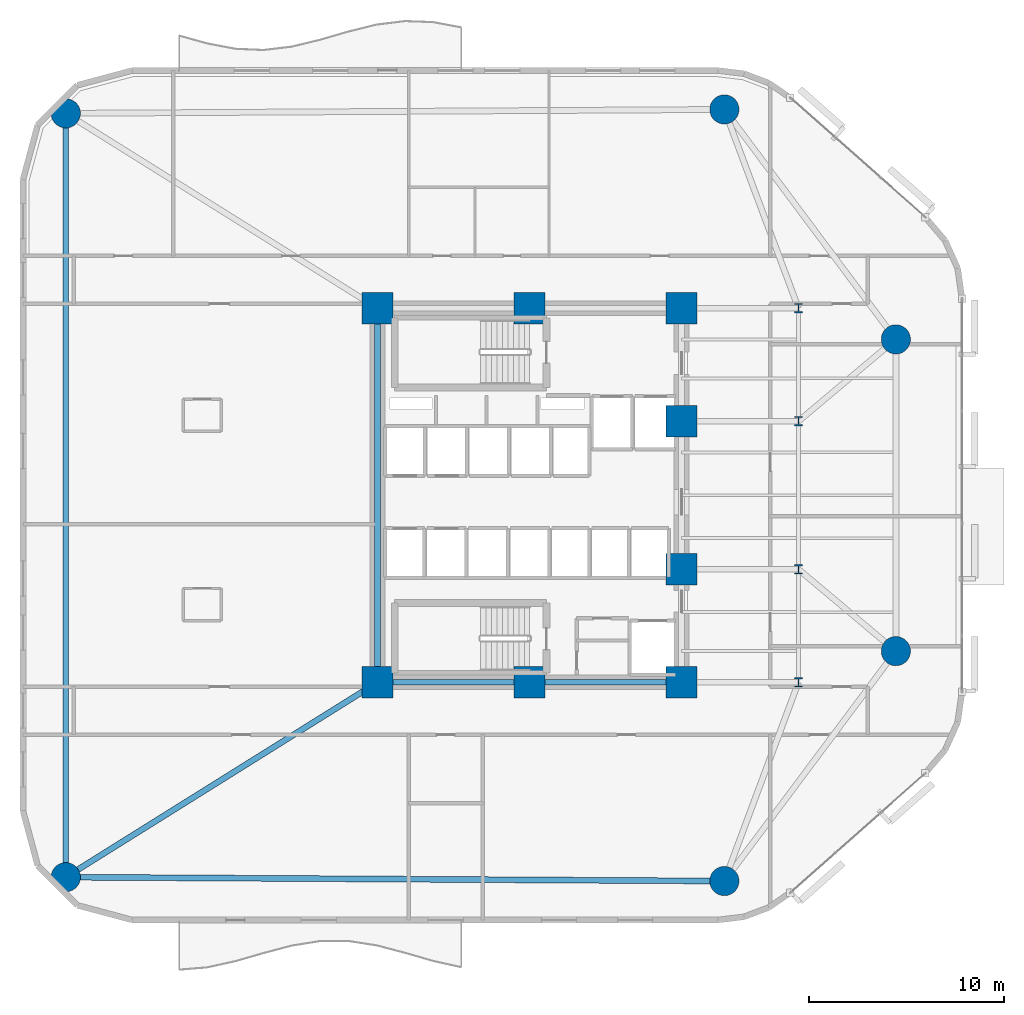
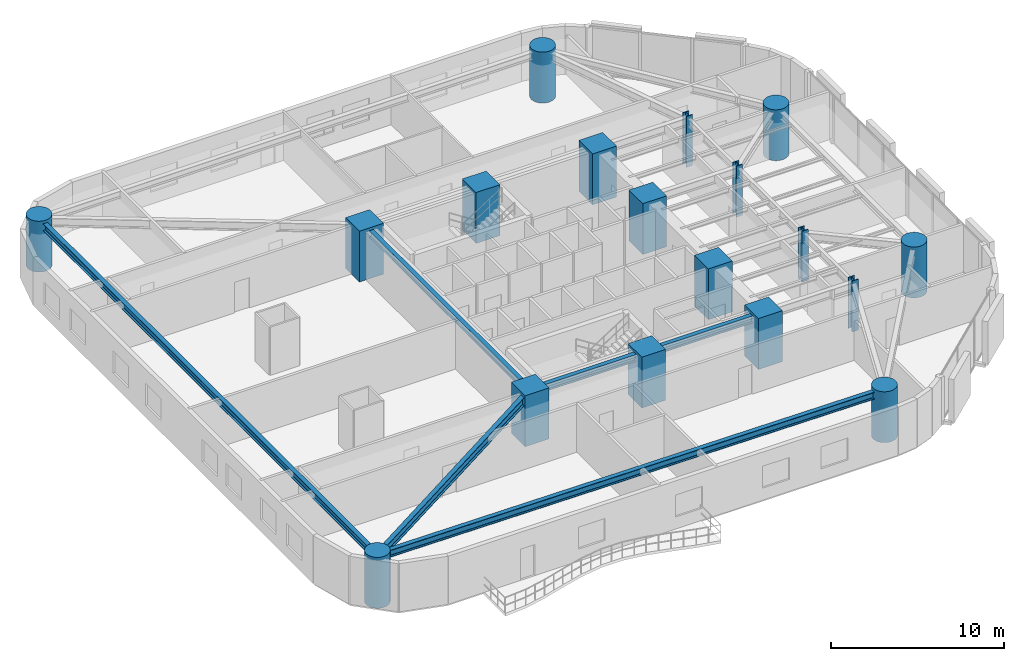
# One storey, part 1 of 16: 18 columns, 5 beams.
"""IFC4 building model written with IfcOpenShell, lengths in metres."""

from ifc_helpers import new_model, si_unit, direction, frame, origin, origin_2d, place, context, subcontext, project, spatial, rectangle, circle, i_section, extrude, material, material_profile, profile_set, type_object, element, save


model = new_model("IFC4")

# Units and contexts
model_context = context("Model", 3, precision=1e-05, world=origin(), true_north=direction((0.0, 1.0)))
body_context = subcontext(model_context, "Body", "Model", "MODEL_VIEW")
ifc_project = project(units=[si_unit("LENGTHUNIT", "METRE"), si_unit("AREAUNIT", "SQUARE_METRE"), si_unit("VOLUMEUNIT", "CUBIC_METRE"), si_unit("PLANEANGLEUNIT", "RADIAN"), si_unit("MASSUNIT", "GRAM", prefix="KILO")], contexts=[model_context])

# Site, building, storey
site_placement = place(None, origin())
site = spatial("IfcSite", under=ifc_project, at=site_placement, CompositionType="ELEMENT")
building_placement = place(site_placement, origin())
building = spatial("IfcBuilding", under=site, at=building_placement, Name="An Khanh Terracotta Commons", CompositionType="ELEMENT")
storey_placement = place(building_placement, frame((0.0, 0.0, 39.60009765625)))
storey = spatial("IfcBuildingStorey", under=building, at=storey_placement, Name="L10", CompositionType="ELEMENT", Elevation=39.60009765625)

# Columns
ifc_material_1 = material(Name="Concrete C70/85", Category="concrete")
ifc_material_profile_1 = material_profile(ifc_material_1, circle(Radius=0.75, at=origin_2d()), Name="CFST1500")
ifc_profile_set_1 = profile_set([ifc_material_profile_1], Name="Concrete C70/85")
column_type_1 = type_object("IfcColumnType", Name="COL-CFST1500", PredefinedType="COLUMN", material=ifc_profile_set_1)
for number, where, z_axis, x_axis, name in (
    (1, (5.60009765625, 4.39990234375, 0.0), (0.0, 0.0, 1.0), (1.0, 0.0, 0.0), "L10 Perimeter CFST Mega-Column MC-01"),
    (2, (39.39990234375, 4.199951171875, 0.0), (0.0, 0.0, 1.0), (1.0, 0.0, 0.0), "L10 Perimeter CFST Mega-Column MC-02"),
    (3, (48.199951171875, 16.0, 0.0), (0.0, 0.0, 1.0), (1.0, 0.0, 0.0), "L10 Perimeter CFST Mega-Column MC-03"),
    (4, (48.199951171875, 32.0, 0.0), (0.0, 0.0, 1.0), (1.0, 0.0, 0.0), "L10 Perimeter CFST Mega-Column MC-04"),
    (5, (39.39990234375, 43.800048828125, 0.0), (0.0, 0.0, 1.0), (1.0, 0.0, 0.0), "L10 Perimeter CFST Mega-Column MC-05"),
    (6, (5.60009765625, 43.60009765625, 0.0), (0.0, 0.0, 1.0), (1.0, 0.0, 0.0), "L10 Perimeter CFST Mega-Column MC-06"),
):
    element("IfcColumn", number, at=place(storey_placement, frame(where, z_axis=z_axis, x_axis=x_axis)), inside=storey, type_object=column_type_1, Name=name, PredefinedType="COLUMN", context=body_context, shape_type="SweptSolid", body=[
        extrude(circle(Radius=0.75, at=origin_2d()), origin(), (0.0, 0.0, 1.0), 3.599853515625),
    ])
ifc_material_2 = material(Name="Steel S460ML", Category="steel")
ifc_material_profile_2 = material_profile(ifc_material_2, i_section(OverallWidth=0.4169921875, OverallDepth=0.47705078125, WebThickness=0.035888671875, FlangeThickness=0.057373046875, FilletRadius=0.014892578125, at=origin_2d()), Name="HD400x463")
ifc_profile_set_2 = profile_set([ifc_material_profile_2], Name="Steel S460ML")
column_type_2 = type_object("IfcColumnType", Name="COL-HD400x463", PredefinedType="COLUMN", material=ifc_profile_set_2)
for number, where, z_axis, x_axis, name in (
    (7, (43.199951171875, 14.39990234375, 0.0), (0.0, 0.0, 1.0), (1.0, 0.0, 0.0), "L10 Interior Frame Column TC-01"),
    (8, (43.199951171875, 20.199951171875, 0.0), (0.0, 0.0, 1.0), (1.0, 0.0, 0.0), "L10 Interior Frame Column TC-02"),
    (9, (43.199951171875, 27.800048828125, 0.0), (0.0, 0.0, 1.0), (1.0, 0.0, 0.0), "L10 Interior Frame Column TC-03"),
    (10, (43.199951171875, 33.60009765625, 0.0), (0.0, 0.0, 1.0), (1.0, 0.0, 0.0), "L10 Interior Frame Column TC-04"),
):
    element("IfcColumn", number, at=place(storey_placement, frame(where, z_axis=z_axis, x_axis=x_axis)), inside=storey, type_object=column_type_2, Name=name, PredefinedType="COLUMN", context=body_context, shape_type="SweptSolid", body=[
        extrude(i_section(OverallWidth=0.4169921875, OverallDepth=0.47705078125, WebThickness=0.035888671875, FlangeThickness=0.057373046875, FilletRadius=0.014892578125, at=origin_2d()), origin(), (0.0, 0.0, 1.0), 3.599853515625),
    ])
ifc_material_profile_3 = material_profile(ifc_material_1, rectangle(XDim=1.60009765625, YDim=1.60009765625, at=origin_2d()), Name="RC1600x1600")
ifc_profile_set_3 = profile_set([ifc_material_profile_3], Name="Concrete C70/85")
column_type_3 = type_object("IfcColumnType", Name="COL-RC1600x1600", PredefinedType="COLUMN", material=ifc_profile_set_3)
for number, where, z_axis, x_axis, name in (
    (11, (21.60009765625, 14.39990234375, 0.0), (0.0, 0.0, 1.0), (1.0, 0.0, 0.0), "L10 Core Boundary Column CC-01"),
    (12, (29.39990234375, 14.39990234375, 0.0), (0.0, 0.0, 1.0), (1.0, 0.0, 0.0), "L10 Core Boundary Column CC-02"),
    (13, (37.199951171875, 14.39990234375, 0.0), (0.0, 0.0, 1.0), (1.0, 0.0, 0.0), "L10 Core Boundary Column CC-03"),
    (14, (37.199951171875, 20.199951171875, 0.0), (0.0, 0.0, 1.0), (1.0, 0.0, 0.0), "L10 Core Boundary Column CC-04"),
    (15, (37.199951171875, 27.800048828125, 0.0), (0.0, 0.0, 1.0), (1.0, 0.0, 0.0), "L10 Core Boundary Column CC-05"),
    (16, (37.199951171875, 33.60009765625, 0.0), (0.0, 0.0, 1.0), (1.0, 0.0, 0.0), "L10 Core Boundary Column CC-06"),
    (17, (29.39990234375, 33.60009765625, 0.0), (0.0, 0.0, 1.0), (1.0, 0.0, 0.0), "L10 Core Boundary Column CC-07"),
    (18, (21.60009765625, 33.60009765625, 0.0), (0.0, 0.0, 1.0), (1.0, 0.0, 0.0), "L10 Core Boundary Column CC-08"),
):
    element("IfcColumn", number, at=place(storey_placement, frame(where, z_axis=z_axis, x_axis=x_axis)), inside=storey, type_object=column_type_3, Name=name, PredefinedType="COLUMN", context=body_context, shape_type="SweptSolid", body=[
        extrude(rectangle(XDim=1.60009765625, YDim=1.60009765625, at=origin_2d()), origin(), (0.0, 0.0, 1.0), 3.599853515625),
    ])

# Beams
ifc_material_3 = material(Name="Steel S355J2", Category="steel")
ifc_material_profile_4 = material_profile(ifc_material_3, i_section(OverallWidth=0.300048828125, OverallDepth=0.449951171875, WebThickness=0.013916015625, FlangeThickness=0.02587890625, FilletRadius=0.027099609375, at=origin_2d()), Name="HEB450")
ifc_profile_set_4 = profile_set([ifc_material_profile_4], Name="Steel S355J2")
beam_type_1 = type_object("IfcBeamType", Name="BM-HEB450", PredefinedType="BEAM", material=ifc_profile_set_4)
beam_1_placement = place(storey_placement, frame((21.60009765625, 14.39990234375, 3.1748046875), z_axis=(0.0, 1.0, 0.0), x_axis=(-1.0, 0.0, 0.0)))
element("IfcBeam", 19, at=beam_1_placement, inside=storey, type_object=beam_type_1, Name="L10 Core West Coupling Girder", PredefinedType="BEAM", context=body_context, shape_type="SweptSolid", body=[
    extrude(i_section(OverallWidth=0.300048828125, OverallDepth=0.449951171875, WebThickness=0.013916015625, FlangeThickness=0.02587890625, FilletRadius=0.027099609375, at=origin_2d()), origin(), (0.0, 0.0, 1.0), 19.2001953125),
])
ifc_material_profile_5 = material_profile(ifc_material_3, i_section(OverallWidth=0.300048828125, OverallDepth=0.5, WebThickness=0.014404296875, FlangeThickness=0.028076171875, FilletRadius=0.027099609375, at=origin_2d()), Name="HEB500")
ifc_profile_set_5 = profile_set([ifc_material_profile_5], Name="Steel S355J2")
beam_type_2 = type_object("IfcBeamType", Name="BM-HEB500", PredefinedType="BEAM", material=ifc_profile_set_5)
beam_2_placement = place(storey_placement, frame((21.60009765625, 14.39990234375, 3.14990234375), z_axis=(1.0, 0.0, 0.0), x_axis=(0.0, 1.0, 0.0)))
element("IfcBeam", 20, at=beam_2_placement, inside=storey, type_object=beam_type_2, Name="L10 Core South Coupling Girder", PredefinedType="BEAM", context=body_context, shape_type="SweptSolid", body=[
    extrude(i_section(OverallWidth=0.300048828125, OverallDepth=0.5, WebThickness=0.014404296875, FlangeThickness=0.028076171875, FilletRadius=0.027099609375, at=origin_2d()), origin(), (0.0, 0.0, 1.0), 15.599853515625),
])
beam_3_placement = place(storey_placement, frame((5.60009765625, 4.39990234375, 3.14990234375), z_axis=(0.999982502414, -0.005915645817, 0.0), x_axis=(0.005915645817, 0.999982502414, 0.0)))
element("IfcBeam", 21, at=beam_3_placement, inside=storey, type_object=beam_type_2, Name="L10 Perimeter Ring Spandrel 1", PredefinedType="BEAM", context=body_context, shape_type="SweptSolid", body=[
    extrude(i_section(OverallWidth=0.300048828125, OverallDepth=0.5, WebThickness=0.014404296875, FlangeThickness=0.028076171875, FilletRadius=0.027099609375, at=origin_2d()), origin(), (0.0, 0.0, 1.0), 33.80029296875),
])
beam_4_placement = place(storey_placement, frame((5.60009765625, 43.60009765625, 3.14990234375), z_axis=(0.0, -1.0, 0.0), x_axis=(1.0, 0.0, 0.0)))
element("IfcBeam", 22, at=beam_4_placement, inside=storey, type_object=beam_type_2, Name="L10 Perimeter Ring Spandrel 6", PredefinedType="BEAM", context=body_context, shape_type="SweptSolid", body=[
    extrude(i_section(OverallWidth=0.300048828125, OverallDepth=0.5, WebThickness=0.014404296875, FlangeThickness=0.028076171875, FilletRadius=0.027099609375, at=origin_2d()), origin(), (0.0, 0.0, 1.0), 39.2001953125),
])
ifc_material_profile_6 = material_profile(ifc_material_3, i_section(OverallWidth=0.300048828125, OverallDepth=0.60009765625, WebThickness=0.015380859375, FlangeThickness=0.030029296875, FilletRadius=0.027099609375, at=origin_2d()), Name="HEB600")
ifc_profile_set_6 = profile_set([ifc_material_profile_6], Name="Steel S355J2")
beam_type_3 = type_object("IfcBeamType", Name="BM-HEB600", PredefinedType="BEAM", material=ifc_profile_set_6)
beam_5_placement = place(storey_placement, frame((5.60009765625, 4.39990234375, 3.099853515625), z_axis=(0.847998304005, 0.529998940003, 0.0), x_axis=(-0.529998940003, 0.847998304005, 0.0)))
element("IfcBeam", 23, at=beam_5_placement, inside=storey, type_object=beam_type_3, Name="L10 Mega-Column Tie Girder 1", PredefinedType="BEAM", context=body_context, shape_type="SweptSolid", body=[
    extrude(i_section(OverallWidth=0.300048828125, OverallDepth=0.60009765625, WebThickness=0.015380859375, FlangeThickness=0.030029296875, FilletRadius=0.027099609375, at=origin_2d()), origin(), (0.0, 0.0, 1.0), 18.867919921875),
])

save(model, "model.ifc")
